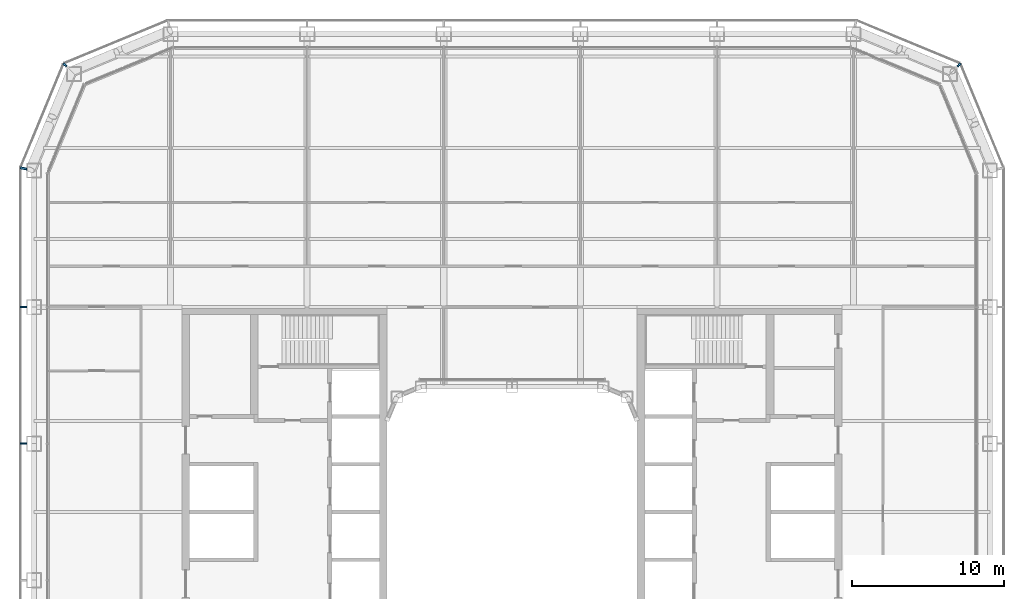
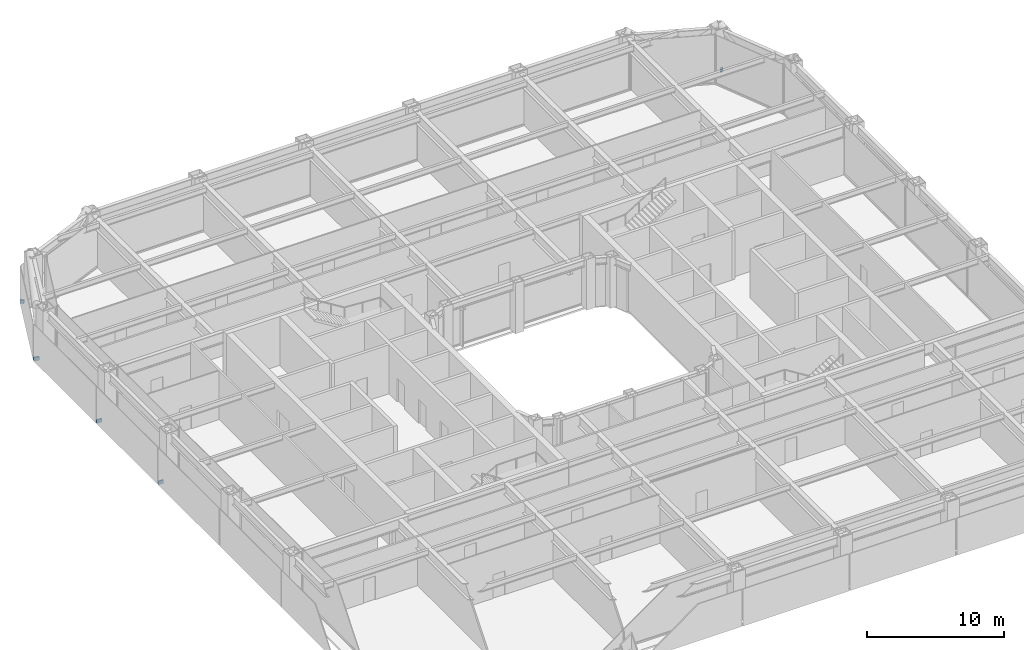
# One storey, part 17 of 24: 5 discrete accessories.
"""IFC4 building model written with IfcOpenShell, lengths in metres."""

import ifcopenshell
import ifcopenshell.guid

model = None  # the IFC model being written
_history = None  # IfcOwnerHistory: only IFC2X3 demands one
_inside = {}  # id of a spatial element -> (the spatial element, [elements in it])
_under = {}  # id of a project, library or spatial element -> (it, [spatial elements below it])
_declared = {}  # id of a project -> (the project, [libraries it declares])
_typed = {}  # id of a type object -> (the type object, [elements of that type])
_made_of = {}  # id of a material, layer set ... -> (it, [elements and type objects made of it])


def new_model(schema):
    """Start an empty IFC model of exactly this schema.

    Asked for "IFC4X3", IfcOpenShell would pick the latest addendum, in which some entities
    have other attributes; the version numbers below select the first issue.
    IFC2X3 requires an IfcOwnerHistory on every rooted entity: one is made here for all.
    """
    global model, _history
    if schema == "IFC4X3":
        model = ifcopenshell.file(schema_version=(4, 3, 0, 0))
    else:
        model = ifcopenshell.file(schema=schema)
    _inside.clear()
    _under.clear()
    _declared.clear()
    _typed.clear()
    _made_of.clear()
    _history = None
    if model.schema == "IFC2X3":
        org = make("IfcOrganization", Name="unknown")
        user = make(
            "IfcPersonAndOrganization",
            ThePerson=make("IfcPerson", FamilyName="unknown"),
            TheOrganization=org,
        )
        app = make(
            "IfcApplication",
            ApplicationDeveloper=org,
            Version="unknown",
            ApplicationFullName="unknown",
            ApplicationIdentifier="unknown",
        )
        _history = make(
            "IfcOwnerHistory",
            OwningUser=user,
            OwningApplication=app,
            ChangeAction="ADDED",
            CreationDate=0,
        )
    return model


def make(cls, **values):
    """One entity of the class cls with the attributes given. An attribute that is None is left unset."""
    return model.create_entity(
        cls, **{name: value for name, value in values.items() if value is not None}
    )


def rooted(cls, **values):
    """An entity with a GlobalId (a new one), such as an element, a storey or a relation."""
    return make(cls, GlobalId=ifcopenshell.guid.new(), OwnerHistory=_history, **values)


def si_unit(unit_type, name, prefix=None):
    """IfcSIUnit, for example si_unit("LENGTHUNIT", "METRE", prefix="MILLI")."""
    return make("IfcSIUnit", UnitType=unit_type, Prefix=prefix, Name=name)


def assignment(units):
    """IfcUnitAssignment: the units of a project."""
    return None if units is None else make("IfcUnitAssignment", Units=units)


def point(xyz):
    """IfcCartesianPoint."""
    return None if xyz is None else make("IfcCartesianPoint", Coordinates=xyz)


def direction(xyz):
    """IfcDirection."""
    return None if xyz is None else make("IfcDirection", DirectionRatios=xyz)


def frame(location, z_axis=None, x_axis=None):
    """IfcAxis2Placement3D, a coordinate frame: its origin and axes. An axis left out is left unset."""
    return make(
        "IfcAxis2Placement3D",
        Location=point(location),
        Axis=direction(z_axis),
        RefDirection=direction(x_axis),
    )


def frame_2d(location, x_axis=None):
    """IfcAxis2Placement2D, a coordinate frame in the plane: its origin and x axis."""
    return make(
        "IfcAxis2Placement2D", Location=point(location), RefDirection=direction(x_axis)
    )


def origin():
    """The frame at (0, 0, 0) with its axes left unset."""
    return frame((0.0, 0.0, 0.0))


def origin_2d():
    """The frame at (0, 0) in the plane with its x axis left unset."""
    return frame_2d((0.0, 0.0))


def place(relative_to, where):
    """IfcLocalPlacement: puts the frame where relative to a parent placement (None: the world)."""
    return make(
        "IfcLocalPlacement", PlacementRelTo=relative_to, RelativePlacement=where
    )


def context(
    kind, dimensions, precision=None, world=None, true_north=None, identifier=None
):
    """IfcGeometricRepresentationContext, for example the 3D "Model" context."""
    return make(
        "IfcGeometricRepresentationContext",
        ContextIdentifier=identifier,
        ContextType=kind,
        CoordinateSpaceDimension=dimensions,
        Precision=precision,
        WorldCoordinateSystem=world,
        TrueNorth=true_north,
    )


def subcontext(parent, identifier, kind, view, scale=None):
    """IfcGeometricRepresentationSubContext, for example "Body" below "Model"."""
    return make(
        "IfcGeometricRepresentationSubContext",
        ContextIdentifier=identifier,
        ContextType=kind,
        ParentContext=parent,
        TargetScale=scale,
        TargetView=view,
    )


def project(units=None, contexts=None):
    """IfcProject with its units and contexts."""
    return rooted(
        "IfcProject",
        Name="project",
        RepresentationContexts=contexts,
        UnitsInContext=assignment(units),
    )


def spatial(cls, under=None, at=None, **own):
    """A site, building, storey or space (cls), placed at a placement, below another one or the project."""
    s = rooted(cls, ObjectPlacement=at, **own)
    if under is not None:
        _under.setdefault(under.id(), (under, []))[1].append(s)
    return s


def profile(cls, at=None, kind="AREA", **sizes):
    """A parametric profile (cls). Its sizes go by their IFC names, for example OverallWidth=200.0."""
    return make(cls, ProfileType=kind, Position=at, **sizes)


def rectangle(**sizes):
    """IfcRectangleProfileDef."""
    return profile("IfcRectangleProfileDef", **sizes)


def extrude(swept, where, along, depth):
    """IfcExtrudedAreaSolid: the profile swept, set in the frame where, extruded along a direction by depth."""
    return make(
        "IfcExtrudedAreaSolid",
        SweptArea=swept,
        Position=where,
        ExtrudedDirection=direction(along),
        Depth=depth,
    )


def shape(context_of_items, identifier, shape_type, items):
    """IfcShapeRepresentation: the items that make up one representation, for example the "Body"."""
    return make(
        "IfcShapeRepresentation",
        ContextOfItems=context_of_items,
        RepresentationIdentifier=identifier,
        RepresentationType=shape_type,
        Items=items,
    )


def material(Name=None, Category=None):
    """IfcMaterial."""
    return make("IfcMaterial", Name=Name, Category=Category)


def made_of(thing, what):
    """Note that an element or type object is made of a material, layer set ...; save() writes the relation."""
    if what is not None:
        _made_of.setdefault(what.id(), (what, []))[1].append(thing)
    return thing


def type_object(cls, material=None, **own):
    """A type object (cls), such as IfcWallType, which elements share."""
    return made_of(rooted(cls, **own), material)


def element(
    cls,
    number,
    at=None,
    inside=None,
    cuts=None,
    type_object=None,
    material=None,
    context=None,
    identifier="Body",
    shape_type=None,
    held_by="IfcProductDefinitionShape",
    body=None,
    shapes=None,
    **own,
):
    """One element of the class cls, such as IfcWall. Its Tag is "e" and its number.

    at: its placement. inside: the storey or other place that contains it. cuts: it is an
    opening in that element (IfcRelVoidsElement). A single representation is given by context,
    identifier, shape_type and body (its items); several are given by shapes. held_by: the class
    of the entity that holds the representations. save() writes the other relations.
    """
    e = rooted(cls, Tag="e%d" % number, ObjectPlacement=at, **own)
    if body is not None:
        shapes = [shape(context, identifier, shape_type, body)]
    if shapes is not None:
        e.Representation = make(held_by, Representations=shapes)
    if inside is not None:
        _inside.setdefault(inside.id(), (inside, []))[1].append(e)
    if cuts is not None:
        rooted(
            "IfcRelVoidsElement", RelatingBuildingElement=cuts, RelatedOpeningElement=e
        )
    if type_object is not None:
        _typed.setdefault(type_object.id(), (type_object, []))[1].append(e)
    return made_of(e, material)


def aggregate(whole, parts):
    """IfcRelAggregates: a whole, such as a stair, and the parts it consists of."""
    return rooted("IfcRelAggregates", RelatingObject=whole, RelatedObjects=parts)


def save(model, path):
    """Write the relations noted so far, then the file.

    IfcRelAggregates (storeys below a building ...), IfcRelContainedInSpatialStructure (elements
    in a storey), IfcRelDefinesByType, IfcRelAssociatesMaterial and IfcRelDeclares: one each for
    every whole, place, type object, material and project.
    """
    for whole, parts in _under.values():
        aggregate(whole, parts)
    for where, things in _inside.values():
        rooted(
            "IfcRelContainedInSpatialStructure",
            RelatedElements=things,
            RelatingStructure=where,
        )
    for kind, things in _typed.values():
        rooted("IfcRelDefinesByType", RelatedObjects=things, RelatingType=kind)
    for what, things in _made_of.values():
        rooted("IfcRelAssociatesMaterial", RelatedObjects=things, RelatingMaterial=what)
    for by, libraries in _declared.values():
        rooted("IfcRelDeclares", RelatingContext=by, RelatedDefinitions=libraries)
    model.write(path)


model = new_model("IFC4")

# Units and contexts
model_context = context("Model", 3, precision=1e-05, world=origin(), true_north=direction((0.0, 1.0)))
body_context = subcontext(model_context, "Body", "Model", "MODEL_VIEW")
ifc_project = project(units=[si_unit("LENGTHUNIT", "METRE"), si_unit("AREAUNIT", "SQUARE_METRE"), si_unit("VOLUMEUNIT", "CUBIC_METRE"), si_unit("PLANEANGLEUNIT", "RADIAN"), si_unit("MASSUNIT", "GRAM", prefix="KILO")], contexts=[model_context])

# Site, building, storey
site_placement = place(None, origin())
site = spatial("IfcSite", under=ifc_project, at=site_placement, CompositionType="ELEMENT")
building_placement = place(site_placement, origin())
building = spatial("IfcBuilding", under=site, at=building_placement, Name="Siwar Civic Tower", CompositionType="ELEMENT")
storey_placement = place(building_placement, frame((0.0, 0.0, 76.199951171875)))
storey = spatial("IfcBuildingStorey", under=building, at=storey_placement, Name="L16", CompositionType="ELEMENT", Elevation=76.199951171875)

# Discrete accessories
ifc_material = material(Name="Stainless steel 316", Category="steel")
discrete_accessory_type = type_object("IfcDiscreteAccessoryType", Name="ENV-BRACKET", PredefinedType="BRACKET", material=ifc_material)
for number, where, z_axis, x_axis, name in (
    (1, (29.451416015625, 29.451416015625, -0.14990234375), (0.0, 0.0, 1.0), (0.707106781187, 0.707106781187, 0.0), "Bracket outer skin joint V05"),
    (2, (-29.451416015625, 29.451416015625, -0.14990234375), (0.0, 0.0, 1.0), (-0.707106781187, 0.707106781187, 0.0), "Bracket outer skin joint V08"),
):
    element("IfcDiscreteAccessory", number, at=place(storey_placement, frame(where, z_axis=z_axis, x_axis=x_axis)), inside=storey, type_object=discrete_accessory_type, Name=name, PredefinedType="BRACKET", context=body_context, shape_type="SweptSolid", body=[
        extrude(rectangle(XDim=0.287109375, YDim=0.12939453125, at=origin_2d()), origin(), (0.0, 0.0, 1.0), 0.300048828125),
    ])
discrete_accessory_placement = place(storey_placement, frame((-32.190185546875, 22.63720703125, -0.14990234375), z_axis=(0.0, 0.0, 1.0), x_axis=(-0.980785280403, 0.195090322016, 0.0)))
element("IfcDiscreteAccessory", 3, at=discrete_accessory_placement, inside=storey, type_object=discrete_accessory_type, Name="Bracket outer skin joint V09", PredefinedType="BRACKET", context=body_context, shape_type="SweptSolid", body=[
    extrude(rectangle(XDim=0.427734375, YDim=0.13720703125, at=origin_2d()), origin(), (0.0, 0.0, 1.0), 0.300048828125),
])
for number, where, z_axis, x_axis, name in (
    (4, (-32.18994140625, 13.5, -0.14990234375), (0.0, 0.0, 1.0), (-1.0, 0.0, 0.0), "Bracket outer skin joint W-01"),
    (5, (-32.18994140625, 4.5, -0.14990234375), (0.0, 0.0, 1.0), (-1.0, 0.0, 0.0), "Bracket outer skin joint W-02"),
):
    element("IfcDiscreteAccessory", number, at=place(storey_placement, frame(where, z_axis=z_axis, x_axis=x_axis)), inside=storey, type_object=discrete_accessory_type, Name=name, PredefinedType="BRACKET", context=body_context, shape_type="SweptSolid", body=[
        extrude(rectangle(XDim=0.419921875, YDim=0.10009765625, at=origin_2d()), origin(), (0.0, 0.0, 1.0), 0.300048828125),
    ])

save(model, "model.ifc")
